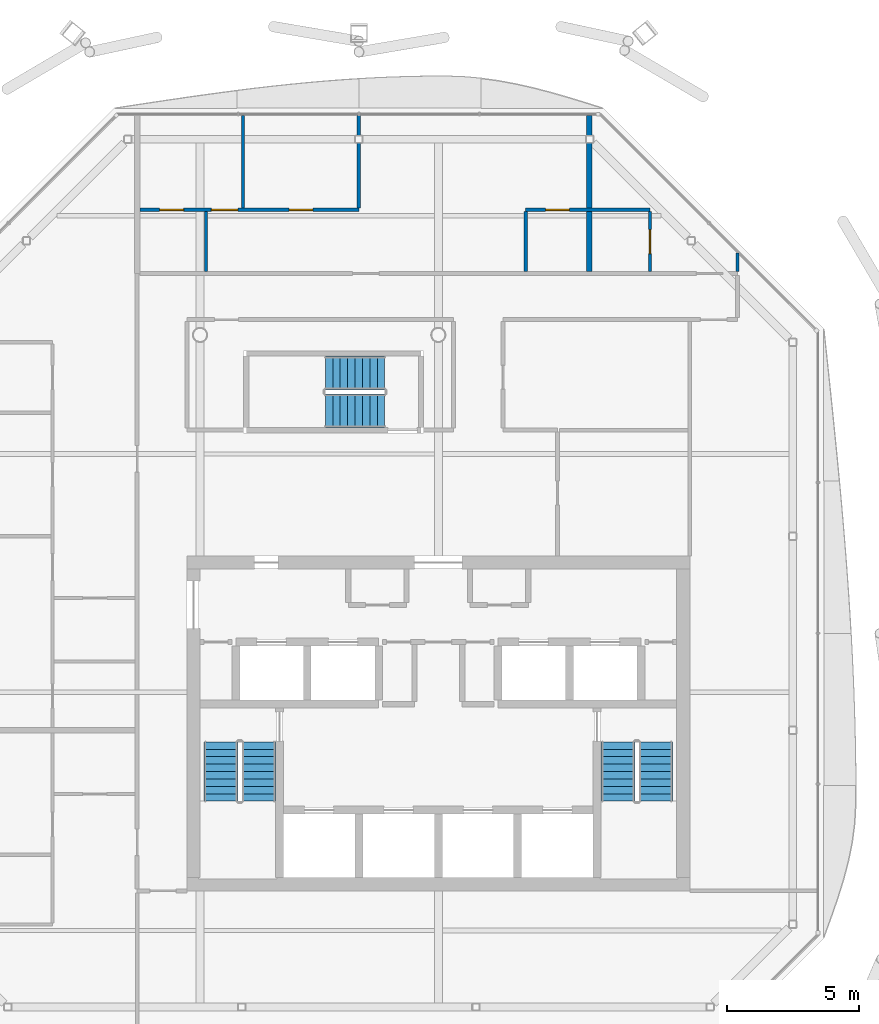
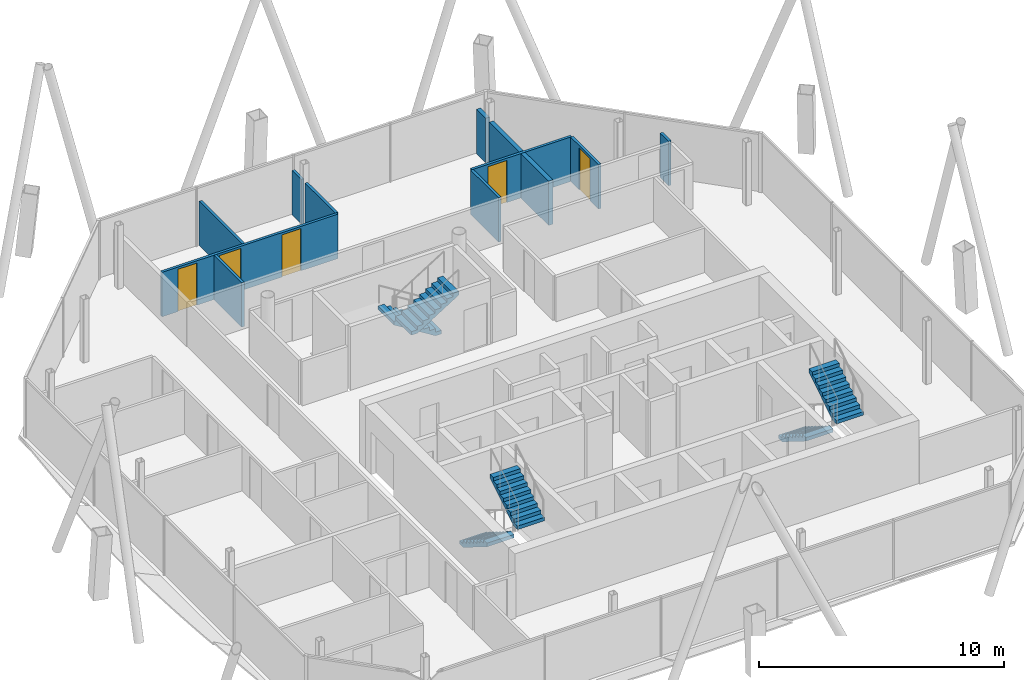
# One storey, part 12 of 16: 11 walls, 6 stair flights, 5 doors, 5 openings, 3 elements without a shape of their own.
"""IFC4 building model written with IfcOpenShell, lengths in metres."""

from ifc_helpers import new_model, si_unit, direction, frame, frame_2d, origin, place, context, subcontext, project, spatial, polyline, rectangle, outline, extrude, material, layer, layer_set, type_object, element, fill, aggregate, save


model = new_model("IFC4")

# Units and contexts
model_context = context("Model", 3, precision=1e-05, world=origin(), true_north=direction((0.0, 1.0)))
body_context = subcontext(model_context, "Body", "Model", "MODEL_VIEW")
ifc_project = project(units=[si_unit("LENGTHUNIT", "METRE"), si_unit("AREAUNIT", "SQUARE_METRE"), si_unit("VOLUMEUNIT", "CUBIC_METRE"), si_unit("PLANEANGLEUNIT", "RADIAN"), si_unit("MASSUNIT", "GRAM", prefix="KILO")], contexts=[model_context])

# Site, building, storey
site_placement = place(None, origin())
site = spatial("IfcSite", under=ifc_project, at=site_placement, CompositionType="ELEMENT")
building_placement = place(site_placement, origin())
building = spatial("IfcBuilding", under=site, at=building_placement, Name="Tskaro Facet Tower", CompositionType="ELEMENT")
storey_placement = place(building_placement, frame((0.0, 0.0, 245.550048828125)))
storey = spatial("IfcBuildingStorey", under=building, at=storey_placement, Name="L64", CompositionType="ELEMENT", Elevation=245.550048828125)

# Wall, openings, doors
ifc_material_1 = material(Name="Gypsum board on steel studs", Category="steel")
ifc_layer_1 = layer(ifc_material_1, 0.125, Name="Gypsum board on steel studs")
ifc_layer_set_1 = layer_set([ifc_layer_1], Name="Gypsum board on steel studs")
wall_type_1 = type_object("IfcWallType", Name="PART", PredefinedType="PARTITIONING", material=ifc_layer_set_1)
wall_1_placement = place(storey_placement, frame((-11.27490234375, 13.72509765625, 0.0), z_axis=(0.0, 0.0, 1.0), x_axis=(1.0, 0.0, 0.0)))
wall_1 = element("IfcWall", 1, at=wall_1_placement, inside=storey, type_object=wall_type_1, Name="Partition W037", PredefinedType="PARTITIONING", context=body_context, shape_type="SweptSolid", body=[
    extrude(rectangle(XDim=8.27490234375, YDim=0.125, at=frame_2d((4.137451171875, 0.0))), origin(), (0.0, 0.0, 1.0), 2.2099609375),
])
opening_1_placement = place(wall_1_placement, frame((5.637451171875, 0.0, 0.0)))
opening_1 = element("IfcOpeningElement", 2, at=opening_1_placement, cuts=wall_1, Name="Opening T19-D30", PredefinedType="OPENING", context=body_context, shape_type="SweptSolid", body=[
    extrude(rectangle(XDim=0.89990234375, YDim=2.10009765625, at=frame_2d((0.449951171875, 1.050048828125))), frame((0.0, 0.072509765625, 0.0), z_axis=(0.0, -1.0, 0.0), x_axis=(1.0, 0.0, 0.0)), (0.0, 0.0, 1.0), 0.14501953125),
])
opening_2_placement = place(wall_1_placement, frame((2.699951171875, 0.0, 0.0)))
opening_2 = element("IfcOpeningElement", 3, at=opening_2_placement, cuts=wall_1, Name="Opening T19-D29", PredefinedType="OPENING", context=body_context, shape_type="SweptSolid", body=[
    extrude(rectangle(XDim=1.0, YDim=2.10009765625, at=frame_2d((0.5, 1.050048828125))), frame((0.0, 0.072509765625, 0.0), z_axis=(0.0, -1.0, 0.0), x_axis=(1.0, 0.0, 0.0)), (0.0, 0.0, 1.0), 0.14501953125),
])
opening_3_placement = place(wall_1_placement, frame((0.75, 0.0, 0.0)))
opening_3 = element("IfcOpeningElement", 4, at=opening_3_placement, cuts=wall_1, Name="Opening T19-D28", PredefinedType="OPENING", context=body_context, shape_type="SweptSolid", body=[
    extrude(rectangle(XDim=0.89990234375, YDim=2.10009765625, at=frame_2d((0.449951171875, 1.050048828125))), frame((0.0, 0.072509765625, 0.0), z_axis=(0.0, -1.0, 0.0), x_axis=(1.0, 0.0, 0.0)), (0.0, 0.0, 1.0), 0.14501953125),
])
ifc_material_2 = material(Name="Timber", Category="wood")
door_type_1 = type_object("IfcDoorType", Name="D-ROOM", OperationType="NOTDEFINED", PredefinedType="DOOR", material=ifc_material_2)
door_1_placement = place(opening_1_placement, origin())
door_1 = element("IfcDoor", 5, at=door_1_placement, inside=storey, type_object=door_type_1, Name="Door T19-D30", OperationType="SINGLE_SWING_LEFT", OverallHeight=2.10009765625, OverallWidth=0.89990234375, PredefinedType="DOOR", context=body_context, shape_type="SweptSolid", body=[
    extrude(rectangle(XDim=0.89990234375, YDim=2.10009765625, at=frame_2d((0.449951171875, 1.050048828125))), frame((0.0, 0.02490234375, 0.0), z_axis=(0.0, -1.0, 0.0), x_axis=(1.0, 0.0, 0.0)), (0.0, 0.0, 1.0), 0.050048828125),
])
fill(opening_1, door_1)
door_2_placement = place(opening_3_placement, origin())
door_2 = element("IfcDoor", 6, at=door_2_placement, inside=storey, type_object=door_type_1, Name="Door T19-D28", OperationType="SINGLE_SWING_RIGHT", OverallHeight=2.10009765625, OverallWidth=0.89990234375, PredefinedType="DOOR", context=body_context, shape_type="SweptSolid", body=[
    extrude(rectangle(XDim=0.89990234375, YDim=2.10009765625, at=frame_2d((0.449951171875, 1.050048828125))), frame((0.0, 0.02490234375, 0.0), z_axis=(0.0, -1.0, 0.0), x_axis=(1.0, 0.0, 0.0)), (0.0, 0.0, 1.0), 0.050048828125),
])
fill(opening_3, door_2)
door_type_2 = type_object("IfcDoorType", Name="D-ROOM-WIDE", OperationType="NOTDEFINED", PredefinedType="DOOR", material=ifc_material_2)
door_3_placement = place(opening_2_placement, origin())
door_3 = element("IfcDoor", 7, at=door_3_placement, inside=storey, type_object=door_type_2, Name="Door T19-D29", OperationType="SINGLE_SWING_RIGHT", OverallHeight=2.10009765625, OverallWidth=1.0, PredefinedType="DOOR", context=body_context, shape_type="SweptSolid", body=[
    extrude(rectangle(XDim=1.0, YDim=2.10009765625, at=frame_2d((0.5, 1.050048828125))), frame((0.0, 0.02490234375, 0.0), z_axis=(0.0, -1.0, 0.0), x_axis=(1.0, 0.0, 0.0)), (0.0, 0.0, 1.0), 0.050048828125),
])
fill(opening_2, door_3)

# Wall, opening, door
wall_2_placement = place(storey_placement, frame((8.0, 13.72509765625, 0.0), z_axis=(0.0, 0.0, 1.0), x_axis=(-1.0, 0.0, 0.0)))
wall_2 = element("IfcWall", 8, at=wall_2_placement, inside=storey, type_object=wall_type_1, Name="Partition W038", PredefinedType="PARTITIONING", context=body_context, shape_type="SweptSolid", body=[
    extrude(rectangle(XDim=4.699951171875, YDim=0.125, at=frame_2d((2.35009765625, 0.0))), origin(), (0.0, 0.0, 1.0), 2.2099609375),
])
opening_4_placement = place(wall_2_placement, frame((3.050048828125, 0.0, 0.0)))
opening_4 = element("IfcOpeningElement", 9, at=opening_4_placement, cuts=wall_2, Name="Opening T19-D31", PredefinedType="OPENING", context=body_context, shape_type="SweptSolid", body=[
    extrude(rectangle(XDim=0.89990234375, YDim=2.10009765625, at=frame_2d((0.449951171875, 1.050048828125))), frame((0.0, 0.072509765625, 0.0), z_axis=(0.0, -1.0, 0.0), x_axis=(1.0, 0.0, 0.0)), (0.0, 0.0, 1.0), 0.14501953125),
])
door_4_placement = place(opening_4_placement, origin())
door_4 = element("IfcDoor", 10, at=door_4_placement, inside=storey, type_object=door_type_1, Name="Door T19-D31", OperationType="SINGLE_SWING_RIGHT", OverallHeight=2.10009765625, OverallWidth=0.89990234375, PredefinedType="DOOR", context=body_context, shape_type="SweptSolid", body=[
    extrude(rectangle(XDim=0.89990234375, YDim=2.10009765625, at=frame_2d((0.449951171875, 1.050048828125))), frame((0.0, 0.02490234375, 0.0), z_axis=(0.0, -1.0, 0.0), x_axis=(1.0, 0.0, 0.0)), (0.0, 0.0, 1.0), 0.050048828125),
])
fill(opening_4, door_4)

# Walls
wall_3_placement = place(storey_placement, frame((-8.77490234375, 11.39990234375, 0.0), z_axis=(0.0, 0.0, 1.0), x_axis=(0.0, 1.0, 0.0)))
element("IfcWall", 11, at=wall_3_placement, inside=storey, type_object=wall_type_1, Name="Partition W044", PredefinedType="PARTITIONING", context=body_context, shape_type="SweptSolid", body=[
    extrude(rectangle(XDim=2.2626953125, YDim=0.125, at=frame_2d((1.13134765625, 0.0))), origin(), (0.0, 0.0, 1.0), 2.2099609375),
])
wall_4_placement = place(storey_placement, frame((-7.375, 13.78759765625, 0.0), z_axis=(0.0, 0.0, 1.0), x_axis=(0.0, 1.0, 0.0)))
element("IfcWall", 12, at=wall_4_placement, inside=storey, type_object=wall_type_1, Name="Partition W046", PredefinedType="PARTITIONING", context=body_context, shape_type="SweptSolid", body=[
    extrude(rectangle(XDim=3.50244140625, YDim=0.125, at=frame_2d((1.751220703125, 0.0))), origin(), (0.0, 0.0, 1.0), 2.2099609375),
])
wall_5_placement = place(storey_placement, frame((-3.0, 13.78759765625, 0.0), z_axis=(0.0, 0.0, 1.0), x_axis=(0.0, 1.0, 0.0)))
element("IfcWall", 13, at=wall_5_placement, inside=storey, type_object=wall_type_1, Name="Partition W052", PredefinedType="PARTITIONING", context=body_context, shape_type="SweptSolid", body=[
    extrude(rectangle(XDim=2.453369140625, YDim=0.125, at=frame_2d((1.2265625, 0.0))), origin(), (0.0, 0.0, 1.0), 2.2099609375),
])
wall_6_placement = place(storey_placement, frame((-3.0, 16.541015625, 0.0), z_axis=(0.0, 0.0, 1.0), x_axis=(0.0, 1.0, 0.0)))
element("IfcWall", 14, at=wall_6_placement, inside=storey, type_object=wall_type_1, Name="Partition W053", PredefinedType="PARTITIONING", context=body_context, shape_type="SweptSolid", body=[
    extrude(rectangle(XDim=0.7490234375, YDim=0.125, at=frame_2d((0.37451171875, 0.0))), origin(), (0.0, 0.0, 1.0), 2.2099609375),
])
wall_7_placement = place(storey_placement, frame((3.300048828125, 11.39990234375, 0.0), z_axis=(0.0, 0.0, 1.0), x_axis=(0.0, 1.0, 0.0)))
element("IfcWall", 15, at=wall_7_placement, inside=storey, type_object=wall_type_1, Name="Partition W065", PredefinedType="PARTITIONING", context=body_context, shape_type="SweptSolid", body=[
    extrude(rectangle(XDim=2.2626953125, YDim=0.125, at=frame_2d((1.13134765625, 0.0))), origin(), (0.0, 0.0, 1.0), 2.2099609375),
])

# Wall, opening, door
wall_8_placement = place(storey_placement, frame((8.0, 11.39990234375, 0.0), z_axis=(0.0, 0.0, 1.0), x_axis=(0.0, 1.0, 0.0)))
wall_8 = element("IfcWall", 16, at=wall_8_placement, inside=storey, type_object=wall_type_1, Name="Partition W073", PredefinedType="PARTITIONING", context=body_context, shape_type="SweptSolid", body=[
    extrude(rectangle(XDim=2.2626953125, YDim=0.125, at=frame_2d((1.13134765625, 0.0))), origin(), (0.0, 0.0, 1.0), 2.2099609375),
])
opening_5_placement = place(wall_8_placement, frame((0.675048828125, 0.0, 0.0)))
opening_5 = element("IfcOpeningElement", 17, at=opening_5_placement, cuts=wall_8, Name="Opening T19-D27", PredefinedType="OPENING", context=body_context, shape_type="SweptSolid", body=[
    extrude(rectangle(XDim=0.89990234375, YDim=2.10009765625, at=frame_2d((0.449951171875, 1.050048828125))), frame((0.0, 0.072509765625, 0.0), z_axis=(0.0, -1.0, 0.0), x_axis=(1.0, 0.0, 0.0)), (0.0, 0.0, 1.0), 0.14501953125),
])
door_5_placement = place(opening_5_placement, origin())
door_5 = element("IfcDoor", 18, at=door_5_placement, inside=storey, type_object=door_type_1, Name="Door T19-D27", OperationType="SINGLE_SWING_LEFT", OverallHeight=2.10009765625, OverallWidth=0.89990234375, PredefinedType="DOOR", context=body_context, shape_type="SweptSolid", body=[
    extrude(rectangle(XDim=0.89990234375, YDim=2.10009765625, at=frame_2d((0.449951171875, 1.050048828125))), frame((0.0, 0.02490234375, 0.0), z_axis=(0.0, -1.0, 0.0), x_axis=(1.0, 0.0, 0.0)), (0.0, 0.0, 1.0), 0.050048828125),
])
fill(opening_5, door_5)

# Walls
wall_9_placement = place(storey_placement, frame((11.300048828125, 11.39990234375, 0.0), z_axis=(0.0, 0.0, 1.0), x_axis=(0.0, 1.0, 0.0)))
element("IfcWall", 19, at=wall_9_placement, inside=storey, type_object=wall_type_1, Name="Partition W076", PredefinedType="PARTITIONING", context=body_context, shape_type="SweptSolid", body=[
    extrude(rectangle(XDim=0.689208984375, YDim=0.125, at=frame_2d((0.3447265625, 0.0))), origin(), (0.0, 0.0, 1.0), 2.2099609375),
])
ifc_layer_2 = layer(ifc_material_1, 0.199951171875, Name="Gypsum board on steel studs")
ifc_layer_set_2 = layer_set([ifc_layer_2], Name="Gypsum board on steel studs")
wall_type_2 = type_object("IfcWallType", Name="PART-DEMISING", PredefinedType="PARTITIONING", material=ifc_layer_set_2)
wall_10_placement = place(storey_placement, frame((5.699951171875, 11.39990234375, 0.0), z_axis=(0.0, 0.0, 1.0), x_axis=(0.0, 1.0, 0.0)))
element("IfcWall", 20, at=wall_10_placement, inside=storey, type_object=wall_type_2, Name="Guest room wall W069", PredefinedType="PARTITIONING", context=body_context, shape_type="SweptSolid", body=[
    extrude(rectangle(XDim=4.841064453125, YDim=0.199951171875, at=frame_2d((2.42041015625, 0.0))), origin(), (0.0, 0.0, 1.0), 2.2099609375),
])
wall_11_placement = place(storey_placement, frame((5.699951171875, 16.541015625, 0.0), z_axis=(0.0, 0.0, 1.0), x_axis=(0.0, 1.0, 0.0)))
element("IfcWall", 21, at=wall_11_placement, inside=storey, type_object=wall_type_2, Name="Guest room wall W070", PredefinedType="PARTITIONING", context=body_context, shape_type="SweptSolid", body=[
    extrude(rectangle(XDim=0.7490234375, YDim=0.199951171875, at=frame_2d((0.37451171875, 0.0))), origin(), (0.0, 0.0, 1.0), 2.2099609375),
])

# Stair, stair flights
ifc_material_3 = material(Name="Concrete C40/50", Category="concrete")
stair_type = type_object("IfcStairType", Name="ST-TWR", PredefinedType="HALF_TURN_STAIR", material=ifc_material_3)
stair_1_placement = place(storey_placement, origin())
stair_1 = element("IfcStair", 22, at=stair_1_placement, inside=storey, type_object=stair_type, Name="L64 Exit stair 1", PredefinedType="HALF_TURN_STAIR")
stair_flight_type = type_object("IfcStairFlightType", Name="SFL-RC", PredefinedType="STRAIGHT", material=ifc_material_3)
stair_flight_1_placement = place(storey_placement, frame((-8.21240234375, -6.375, 0.0), z_axis=(0.0, 0.0, 1.0), x_axis=(0.0, -1.0, 0.0)))
stair_flight_1 = element("IfcStairFlight", 23, at=stair_flight_1_placement, type_object=stair_flight_type, Name="ST-1 flight 1", NumberOfRisers=9, NumberOfTreads=8, PredefinedType="STRAIGHT", RiserHeight=0.175, TreadLength=0.28, context=body_context, shape_type="SweptSolid", body=[
    extrude(outline(polyline([(0.0, 0.0), (0.0, 0.175048828125), (0.280029296875, 0.175048828125), (0.280029296875, 0.35009765625), (0.56005859375, 0.35009765625), (0.56005859375, 0.52490234375), (0.840087890625, 0.52490234375), (0.840087890625, 0.699951171875), (1.1201171875, 0.699951171875), (1.1201171875, 0.875), (1.39990234375, 0.875), (1.39990234375, 1.050048828125), (1.679931640625, 1.050048828125), (1.679931640625, 1.22509765625), (1.9599609375, 1.22509765625), (1.9599609375, 1.39990234375), (2.239990234375, 1.39990234375), (2.239990234375, 1.574951171875), (2.239990234375, 1.22314453125), (0.28271484375, 0.0), (0.0, 0.0)])), frame((0.0, 0.637451171875, 0.0), z_axis=(0.0, -1.0, 0.0), x_axis=(1.0, 0.0, 0.0)), (0.0, 0.0, 1.0), 1.27490234375),
])
stair_flight_2_placement = place(storey_placement, frame((-6.78759765625, -8.614990234375, 1.574951171875), z_axis=(0.0, 0.0, 1.0), x_axis=(0.0, 1.0, 0.0)))
stair_flight_2 = element("IfcStairFlight", 24, at=stair_flight_2_placement, type_object=stair_flight_type, Name="ST-1 flight 2", NumberOfRisers=9, NumberOfTreads=8, PredefinedType="STRAIGHT", RiserHeight=0.175, TreadLength=0.28, context=body_context, shape_type="SweptSolid", body=[
    extrude(outline(polyline([(0.0, 0.0), (0.0, 0.175048828125), (0.280029296875, 0.175048828125), (0.280029296875, 0.35009765625), (0.56005859375, 0.35009765625), (0.56005859375, 0.52490234375), (0.840087890625, 0.52490234375), (0.840087890625, 0.699951171875), (1.1201171875, 0.699951171875), (1.1201171875, 0.875), (1.39990234375, 0.875), (1.39990234375, 1.050048828125), (1.679931640625, 1.050048828125), (1.679931640625, 1.22509765625), (1.9599609375, 1.22509765625), (1.9599609375, 1.39990234375), (2.239990234375, 1.39990234375), (2.239990234375, 1.574951171875), (2.239990234375, 1.22314453125), (0.28271484375, 0.0), (0.0, 0.0)])), frame((0.0, 0.637451171875, 0.0), z_axis=(0.0, -1.0, 0.0), x_axis=(1.0, 0.0, 0.0)), (0.0, 0.0, 1.0), 1.27490234375),
])
aggregate(stair_1, [stair_flight_1, stair_flight_2])

stair_2_placement = place(storey_placement, origin())
stair_2 = element("IfcStair", 25, at=stair_2_placement, inside=storey, type_object=stair_type, Name="L64 Exit stair 2", PredefinedType="HALF_TURN_STAIR")
stair_flight_3_placement = place(storey_placement, frame((6.78759765625, -6.375, 0.0), z_axis=(0.0, 0.0, 1.0), x_axis=(0.0, -1.0, 0.0)))
stair_flight_3 = element("IfcStairFlight", 26, at=stair_flight_3_placement, type_object=stair_flight_type, Name="ST-2 flight 1", NumberOfRisers=9, NumberOfTreads=8, PredefinedType="STRAIGHT", RiserHeight=0.175, TreadLength=0.28, context=body_context, shape_type="SweptSolid", body=[
    extrude(outline(polyline([(0.0, 0.0), (0.0, 0.175048828125), (0.280029296875, 0.175048828125), (0.280029296875, 0.35009765625), (0.56005859375, 0.35009765625), (0.56005859375, 0.52490234375), (0.840087890625, 0.52490234375), (0.840087890625, 0.699951171875), (1.1201171875, 0.699951171875), (1.1201171875, 0.875), (1.39990234375, 0.875), (1.39990234375, 1.050048828125), (1.679931640625, 1.050048828125), (1.679931640625, 1.22509765625), (1.9599609375, 1.22509765625), (1.9599609375, 1.39990234375), (2.239990234375, 1.39990234375), (2.239990234375, 1.574951171875), (2.239990234375, 1.22314453125), (0.28271484375, 0.0), (0.0, 0.0)])), frame((0.0, 0.637451171875, 0.0), z_axis=(0.0, -1.0, 0.0), x_axis=(1.0, 0.0, 0.0)), (0.0, 0.0, 1.0), 1.27490234375),
])
stair_flight_4_placement = place(storey_placement, frame((8.21240234375, -8.614990234375, 1.574951171875), z_axis=(0.0, 0.0, 1.0), x_axis=(0.0, 1.0, 0.0)))
stair_flight_4 = element("IfcStairFlight", 27, at=stair_flight_4_placement, type_object=stair_flight_type, Name="ST-2 flight 2", NumberOfRisers=9, NumberOfTreads=8, PredefinedType="STRAIGHT", RiserHeight=0.175, TreadLength=0.28, context=body_context, shape_type="SweptSolid", body=[
    extrude(outline(polyline([(0.0, 0.0), (0.0, 0.175048828125), (0.280029296875, 0.175048828125), (0.280029296875, 0.35009765625), (0.56005859375, 0.35009765625), (0.56005859375, 0.52490234375), (0.840087890625, 0.52490234375), (0.840087890625, 0.699951171875), (1.1201171875, 0.699951171875), (1.1201171875, 0.875), (1.39990234375, 0.875), (1.39990234375, 1.050048828125), (1.679931640625, 1.050048828125), (1.679931640625, 1.22509765625), (1.9599609375, 1.22509765625), (1.9599609375, 1.39990234375), (2.239990234375, 1.39990234375), (2.239990234375, 1.574951171875), (2.239990234375, 1.22314453125), (0.28271484375, 0.0), (0.0, 0.0)])), frame((0.0, 0.637451171875, 0.0), z_axis=(0.0, -1.0, 0.0), x_axis=(1.0, 0.0, 0.0)), (0.0, 0.0, 1.0), 1.27490234375),
])
aggregate(stair_2, [stair_flight_3, stair_flight_4])

stair_3_placement = place(storey_placement, origin())
stair_3 = element("IfcStair", 28, at=stair_3_placement, inside=storey, type_object=stair_type, Name="L64 Exit stair 3", PredefinedType="HALF_TURN_STAIR")
stair_flight_5_placement = place(storey_placement, frame((-2.02490234375, 7.5625, 0.0), z_axis=(0.0, 0.0, 1.0), x_axis=(-1.0, 0.0, 0.0)))
stair_flight_5 = element("IfcStairFlight", 29, at=stair_flight_5_placement, type_object=stair_flight_type, Name="ST-3 flight 1", NumberOfRisers=9, NumberOfTreads=8, PredefinedType="STRAIGHT", RiserHeight=0.175, TreadLength=0.28, context=body_context, shape_type="SweptSolid", body=[
    extrude(outline(polyline([(0.0, 0.0), (0.0, 0.175048828125), (0.280029296875, 0.175048828125), (0.280029296875, 0.35009765625), (0.56005859375, 0.35009765625), (0.56005859375, 0.52490234375), (0.840087890625, 0.52490234375), (0.840087890625, 0.699951171875), (1.1201171875, 0.699951171875), (1.1201171875, 0.875), (1.39990234375, 0.875), (1.39990234375, 1.050048828125), (1.679931640625, 1.050048828125), (1.679931640625, 1.22509765625), (1.9599609375, 1.22509765625), (1.9599609375, 1.39990234375), (2.239990234375, 1.39990234375), (2.239990234375, 1.574951171875), (2.239990234375, 1.22314453125), (0.28271484375, 0.0), (0.0, 0.0)])), frame((0.0, 0.637451171875, 0.0), z_axis=(0.0, -1.0, 0.0), x_axis=(1.0, 0.0, 0.0)), (0.0, 0.0, 1.0), 1.27490234375),
])
stair_flight_6_placement = place(storey_placement, frame((-4.264892578125, 6.137451171875, 1.574951171875), z_axis=(0.0, 0.0, 1.0), x_axis=(1.0, 0.0, 0.0)))
stair_flight_6 = element("IfcStairFlight", 30, at=stair_flight_6_placement, type_object=stair_flight_type, Name="ST-3 flight 2", NumberOfRisers=9, NumberOfTreads=8, PredefinedType="STRAIGHT", RiserHeight=0.175, TreadLength=0.28, context=body_context, shape_type="SweptSolid", body=[
    extrude(outline(polyline([(0.0, 0.0), (0.0, 0.175048828125), (0.280029296875, 0.175048828125), (0.280029296875, 0.35009765625), (0.56005859375, 0.35009765625), (0.56005859375, 0.52490234375), (0.840087890625, 0.52490234375), (0.840087890625, 0.699951171875), (1.1201171875, 0.699951171875), (1.1201171875, 0.875), (1.39990234375, 0.875), (1.39990234375, 1.050048828125), (1.679931640625, 1.050048828125), (1.679931640625, 1.22509765625), (1.9599609375, 1.22509765625), (1.9599609375, 1.39990234375), (2.239990234375, 1.39990234375), (2.239990234375, 1.574951171875), (2.239990234375, 1.22314453125), (0.28271484375, 0.0), (0.0, 0.0)])), frame((0.0, 0.637451171875, 0.0), z_axis=(0.0, -1.0, 0.0), x_axis=(1.0, 0.0, 0.0)), (0.0, 0.0, 1.0), 1.27490234375),
])
aggregate(stair_3, [stair_flight_5, stair_flight_6])

save(model, "model.ifc")
